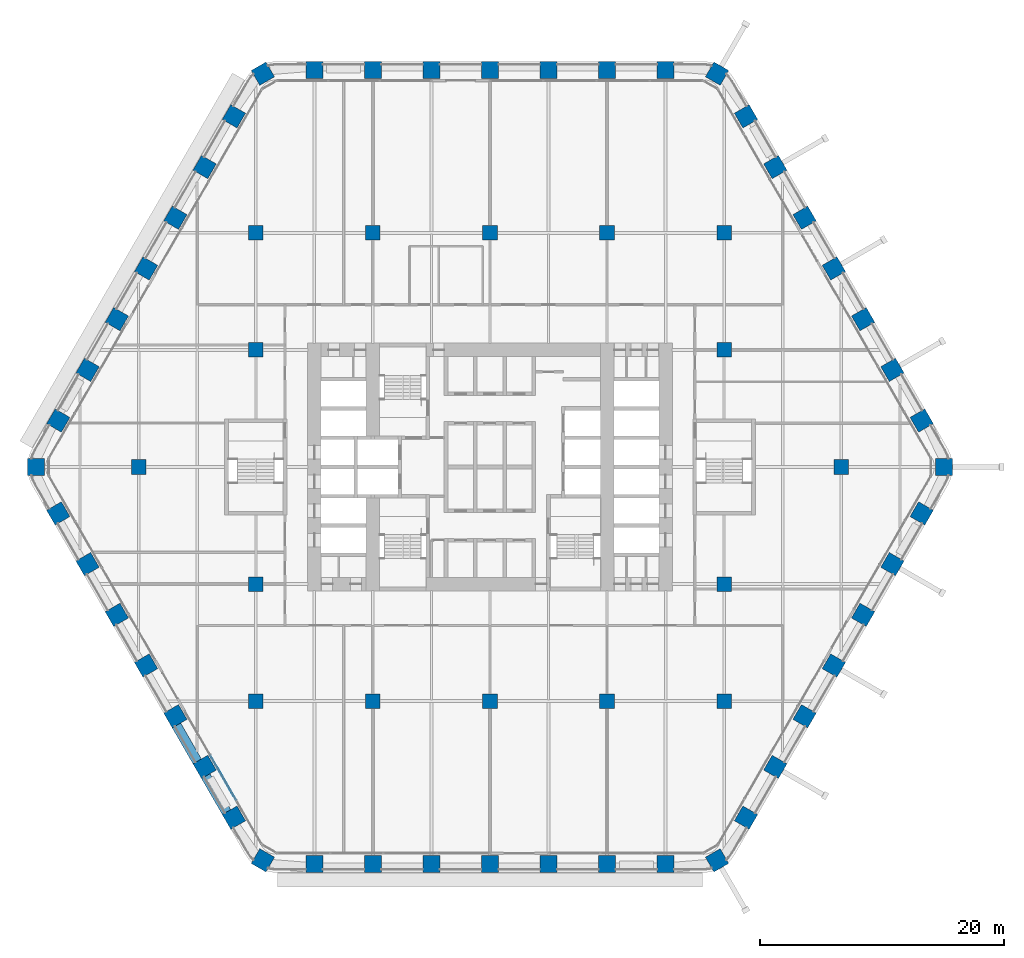
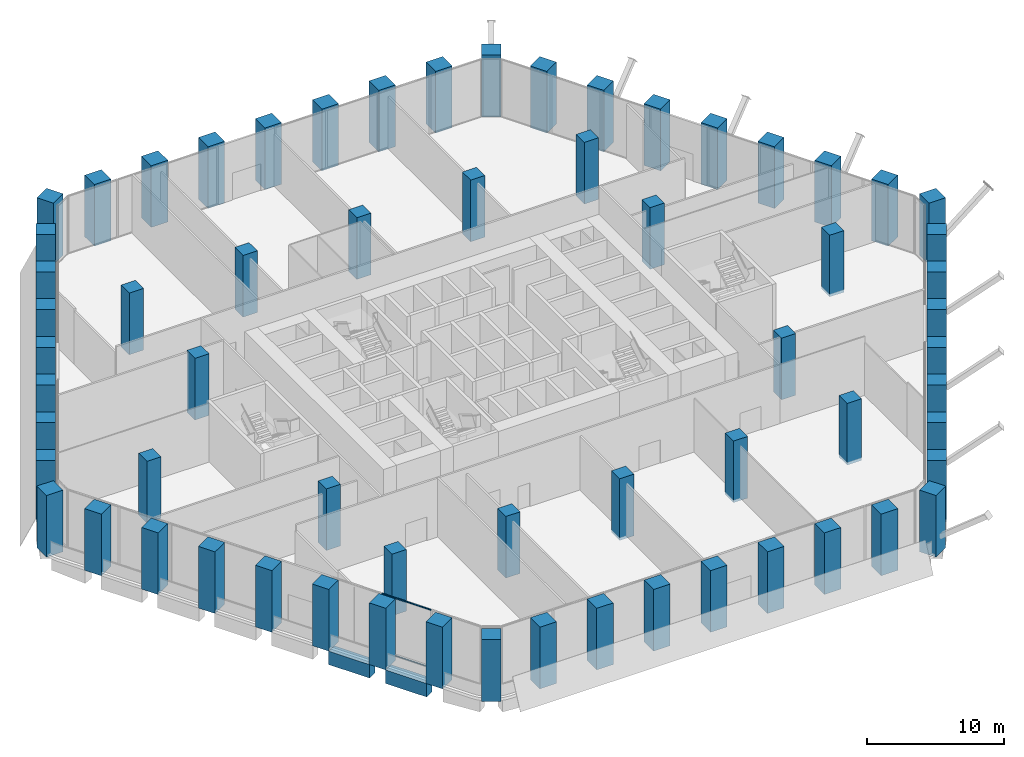
# One storey, part 1 of 29: 64 columns, 2 beams, 2 members, 1 element without a shape of its own.
"""IFC4 building model written with IfcOpenShell, lengths in metres."""

from ifc_helpers import new_model, si_unit, direction, frame, origin, origin_2d, place, context, subcontext, project, spatial, rectangle, extrude, material, material_profile, profile_set, type_object, element, aggregate, save


model = new_model("IFC4")

# Units and contexts
model_context = context("Model", 3, precision=1e-05, world=origin(), true_north=direction((0.0, 1.0)))
body_context = subcontext(model_context, "Body", "Model", "MODEL_VIEW")
ifc_project = project(units=[si_unit("LENGTHUNIT", "METRE"), si_unit("AREAUNIT", "SQUARE_METRE"), si_unit("VOLUMEUNIT", "CUBIC_METRE"), si_unit("PLANEANGLEUNIT", "RADIAN"), si_unit("MASSUNIT", "GRAM", prefix="KILO")], contexts=[model_context])

# Site, building, storey
site_placement = place(None, origin())
site = spatial("IfcSite", under=ifc_project, at=site_placement, CompositionType="ELEMENT")
building_placement = place(site_placement, origin())
building = spatial("IfcBuilding", under=site, at=building_placement, Name="Kolab Exchange Tower", CompositionType="ELEMENT")
storey_placement = place(building_placement, frame((0.0, 0.0, 55.39990234375)))
storey = spatial("IfcBuildingStorey", under=building, at=storey_placement, Name="L10", CompositionType="ELEMENT", Elevation=55.39990234375)

# Columns
ifc_material_1 = material(Name="Concrete C80/95", Category="concrete")
ifc_material_profile_1 = material_profile(ifc_material_1, rectangle(XDim=1.199951171875, YDim=1.199951171875, at=origin_2d()), Name="RC1200")
ifc_profile_set_1 = profile_set([ifc_material_profile_1], Name="Concrete C80/95")
column_type_1 = type_object("IfcColumnType", Name="INTERIOR COLUMN 1200 SQ C80/95", PredefinedType="COLUMN", material=ifc_profile_set_1)
for number, where, z_axis, x_axis, name in (
    (1, (-28.800048828125, 0.0, -0.25), (0.0, 0.0, 1.0), (1.0, 0.0, 0.0), "col/L10/I-G11"),
    (2, (-19.199951171875, -19.199951171875, -0.25), (0.0, 0.0, 1.0), (1.0, 0.0, 0.0), "col/L10/I-I7"),
    (3, (-19.199951171875, -9.60009765625, -0.25), (0.0, 0.0, 1.0), (1.0, 0.0, 0.0), "col/L10/I-I9"),
    (4, (-19.199951171875, 9.60009765625, -0.25), (0.0, 0.0, 1.0), (1.0, 0.0, 0.0), "col/L10/I-I13"),
    (5, (-19.199951171875, 19.199951171875, -0.25), (0.0, 0.0, 1.0), (1.0, 0.0, 0.0), "col/L10/I-I15"),
    (6, (-9.60009765625, -19.199951171875, -0.25), (0.0, 0.0, 1.0), (1.0, 0.0, 0.0), "col/L10/I-K7"),
    (7, (-9.60009765625, 19.199951171875, -0.25), (0.0, 0.0, 1.0), (1.0, 0.0, 0.0), "col/L10/I-K15"),
    (8, (0.0, -19.199951171875, -0.25), (0.0, 0.0, 1.0), (1.0, 0.0, 0.0), "col/L10/I-M7"),
    (9, (0.0, 19.199951171875, -0.25), (0.0, 0.0, 1.0), (1.0, 0.0, 0.0), "col/L10/I-M15"),
    (10, (9.60009765625, -19.199951171875, -0.25), (0.0, 0.0, 1.0), (1.0, 0.0, 0.0), "col/L10/I-O7"),
    (11, (9.60009765625, 19.199951171875, -0.25), (0.0, 0.0, 1.0), (1.0, 0.0, 0.0), "col/L10/I-O15"),
    (12, (19.199951171875, -19.199951171875, -0.25), (0.0, 0.0, 1.0), (1.0, 0.0, 0.0), "col/L10/I-Q7"),
    (13, (19.199951171875, -9.60009765625, -0.25), (0.0, 0.0, 1.0), (1.0, 0.0, 0.0), "col/L10/I-Q9"),
    (14, (19.199951171875, 9.60009765625, -0.25), (0.0, 0.0, 1.0), (1.0, 0.0, 0.0), "col/L10/I-Q13"),
    (15, (19.199951171875, 19.199951171875, -0.25), (0.0, 0.0, 1.0), (1.0, 0.0, 0.0), "col/L10/I-Q15"),
    (16, (28.800048828125, 0.0, -0.25), (0.0, 0.0, 1.0), (1.0, 0.0, 0.0), "col/L10/I-S11"),
):
    element("IfcColumn", number, at=place(storey_placement, frame(where, z_axis=z_axis, x_axis=x_axis)), inside=storey, type_object=column_type_1, Name=name, PredefinedType="COLUMN", context=body_context, shape_type="SweptSolid", body=[
        extrude(rectangle(XDim=1.199951171875, YDim=1.199951171875, at=origin_2d()), origin(), (0.0, 0.0, 1.0), 5.5),
    ])
ifc_material_profile_2 = material_profile(ifc_material_1, rectangle(XDim=1.39990234375, YDim=1.39990234375, at=origin_2d()), Name="RC1400")
ifc_profile_set_2 = profile_set([ifc_material_profile_2], Name="Concrete C80/95")
column_type_2 = type_object("IfcColumnType", Name="PERIMETER COLUMN 1400 SQ C80/95", PredefinedType="COLUMN", material=ifc_profile_set_2)
for number, where, z_axis, x_axis, name in (
    (17, (-18.617919921875, 32.247314453125, -0.25), (0.0, 0.0, 1.0), (0.866025403784, 0.5, 0.0), "col/L10/F1-01"),
    (18, (-14.39990234375, 32.555419921875, -0.25), (0.0, 0.0, 1.0), (1.0, 0.0, 0.0), "col/L10/F1-02"),
    (19, (-9.60009765625, 32.555419921875, -0.25), (0.0, 0.0, 1.0), (1.0, 0.0, 0.0), "col/L10/F1-03"),
    (20, (-4.800048828125, 32.555419921875, -0.25), (0.0, 0.0, 1.0), (1.0, 0.0, 0.0), "col/L10/F1-04"),
    (21, (0.0, 32.555419921875, -0.25), (0.0, 0.0, 1.0), (1.0, 0.0, 0.0), "col/L10/F1-05"),
    (22, (4.800048828125, 32.555419921875, -0.25), (0.0, 0.0, 1.0), (1.0, 0.0, 0.0), "col/L10/F1-06"),
    (23, (9.60009765625, 32.555419921875, -0.25), (0.0, 0.0, 1.0), (1.0, 0.0, 0.0), "col/L10/F1-07"),
    (24, (14.39990234375, 32.555419921875, -0.25), (0.0, 0.0, 1.0), (1.0, 0.0, 0.0), "col/L10/F1-08"),
    (25, (18.617919921875, 32.247314453125, -0.25), (0.0, 0.0, 1.0), (0.5, 0.866025403784, 0.0), "col/L10/F2-01"),
    (26, (20.993896484375, 28.74853515625, -0.25), (0.0, 0.0, 1.0), (0.866025403784, 0.5, 0.0), "col/L10/F2-02"),
    (27, (23.393798828125, 24.591552734375, -0.25), (0.0, 0.0, 1.0), (0.866025403784, 0.5, 0.0), "col/L10/F2-03"),
    (28, (25.793701171875, 20.4345703125, -0.25), (0.0, 0.0, 1.0), (0.866025403784, 0.5, 0.0), "col/L10/F2-04"),
    (29, (28.19384765625, 16.277587890625, -0.25), (0.0, 0.0, 1.0), (0.866025403784, 0.5, 0.0), "col/L10/F2-05"),
    (30, (30.59375, 12.120849609375, -0.25), (0.0, 0.0, 1.0), (0.866025403784, 0.5, 0.0), "col/L10/F2-06"),
    (31, (32.993896484375, 7.9638671875, -0.25), (0.0, 0.0, 1.0), (0.866025403784, 0.5, 0.0), "col/L10/F2-07"),
    (32, (35.393798828125, 3.806884765625, -0.25), (0.0, 0.0, 1.0), (0.866025403784, 0.5, 0.0), "col/L10/F2-08"),
    (33, (37.23583984375, 0.0, -0.25), (0.0, 0.0, 1.0), (1.0, 0.0, 0.0), "col/L10/F3-01"),
    (34, (35.393798828125, -3.806884765625, -0.25), (0.0, 0.0, 1.0), (0.5, 0.866025403784, 0.0), "col/L10/F3-02"),
    (35, (32.993896484375, -7.9638671875, -0.25), (0.0, 0.0, 1.0), (0.5, 0.866025403784, 0.0), "col/L10/F3-03"),
    (36, (30.59375, -12.120849609375, -0.25), (0.0, 0.0, 1.0), (0.5, 0.866025403784, 0.0), "col/L10/F3-04"),
    (37, (28.19384765625, -16.277587890625, -0.25), (0.0, 0.0, 1.0), (0.5, 0.866025403784, 0.0), "col/L10/F3-05"),
    (38, (25.793701171875, -20.4345703125, -0.25), (0.0, 0.0, 1.0), (0.5, 0.866025403784, 0.0), "col/L10/F3-06"),
    (39, (23.393798828125, -24.591552734375, -0.25), (0.0, 0.0, 1.0), (0.5, 0.866025403784, 0.0), "col/L10/F3-07"),
    (40, (20.993896484375, -28.74853515625, -0.25), (0.0, 0.0, 1.0), (0.5, 0.866025403784, 0.0), "col/L10/F3-08"),
    (41, (18.617919921875, -32.247314453125, -0.25), (0.0, 0.0, 1.0), (0.866025403784, 0.5, 0.0), "col/L10/F4-01"),
    (42, (14.39990234375, -32.555419921875, -0.25), (0.0, 0.0, 1.0), (1.0, 0.0, 0.0), "col/L10/F4-02"),
    (43, (9.60009765625, -32.555419921875, -0.25), (0.0, 0.0, 1.0), (1.0, 0.0, 0.0), "col/L10/F4-03"),
    (44, (4.800048828125, -32.555419921875, -0.25), (0.0, 0.0, 1.0), (1.0, 0.0, 0.0), "col/L10/F4-04"),
    (45, (0.0, -32.555419921875, -0.25), (0.0, 0.0, 1.0), (1.0, 0.0, 0.0), "col/L10/F4-05"),
    (46, (-4.800048828125, -32.555419921875, -0.25), (0.0, 0.0, 1.0), (1.0, 0.0, 0.0), "col/L10/F4-06"),
    (47, (-9.60009765625, -32.555419921875, -0.25), (0.0, 0.0, 1.0), (1.0, 0.0, 0.0), "col/L10/F4-07"),
    (48, (-14.39990234375, -32.555419921875, -0.25), (0.0, 0.0, 1.0), (1.0, 0.0, 0.0), "col/L10/F4-08"),
    (49, (-18.617919921875, -32.247314453125, -0.25), (0.0, 0.0, 1.0), (0.5, 0.866025403784, 0.0), "col/L10/F5-01"),
    (50, (-20.993896484375, -28.74853515625, -0.25), (0.0, 0.0, 1.0), (0.866025403784, 0.5, 0.0), "col/L10/F5-02"),
    (51, (-23.393798828125, -24.591552734375, -0.25), (0.0, 0.0, 1.0), (0.866025403784, 0.5, 0.0), "col/L10/F5-03"),
    (52, (-25.793701171875, -20.4345703125, -0.25), (0.0, 0.0, 1.0), (0.866025403784, 0.5, 0.0), "col/L10/F5-04"),
    (53, (-28.19384765625, -16.277587890625, -0.25), (0.0, 0.0, 1.0), (0.866025403784, 0.5, 0.0), "col/L10/F5-05"),
    (54, (-30.59375, -12.120849609375, -0.25), (0.0, 0.0, 1.0), (0.866025403784, 0.5, 0.0), "col/L10/F5-06"),
    (55, (-32.993896484375, -7.9638671875, -0.25), (0.0, 0.0, 1.0), (0.866025403784, 0.5, 0.0), "col/L10/F5-07"),
    (56, (-35.393798828125, -3.806884765625, -0.25), (0.0, 0.0, 1.0), (0.866025403784, 0.5, 0.0), "col/L10/F5-08"),
    (57, (-37.23583984375, 0.0, -0.25), (0.0, 0.0, 1.0), (1.0, 0.0, 0.0), "col/L10/F6-01"),
    (58, (-35.393798828125, 3.806884765625, -0.25), (0.0, 0.0, 1.0), (0.5, 0.866025403784, 0.0), "col/L10/F6-02"),
    (59, (-32.993896484375, 7.9638671875, -0.25), (0.0, 0.0, 1.0), (0.5, 0.866025403784, 0.0), "col/L10/F6-03"),
    (60, (-30.59375, 12.120849609375, -0.25), (0.0, 0.0, 1.0), (0.5, 0.866025403784, 0.0), "col/L10/F6-04"),
    (61, (-28.19384765625, 16.277587890625, -0.25), (0.0, 0.0, 1.0), (0.5, 0.866025403784, 0.0), "col/L10/F6-05"),
    (62, (-25.793701171875, 20.4345703125, -0.25), (0.0, 0.0, 1.0), (0.5, 0.866025403784, 0.0), "col/L10/F6-06"),
    (63, (-23.393798828125, 24.591552734375, -0.25), (0.0, 0.0, 1.0), (0.5, 0.866025403784, 0.0), "col/L10/F6-07"),
    (64, (-20.993896484375, 28.74853515625, -0.25), (0.0, 0.0, 1.0), (0.5, 0.866025403784, 0.0), "col/L10/F6-08"),
):
    element("IfcColumn", number, at=place(storey_placement, frame(where, z_axis=z_axis, x_axis=x_axis)), inside=storey, type_object=column_type_2, Name=name, PredefinedType="COLUMN", context=body_context, shape_type="SweptSolid", body=[
        extrude(rectangle(XDim=1.39990234375, YDim=1.39990234375, at=origin_2d()), origin(), (0.0, 0.0, 1.0), 5.5),
    ])

# Beams
ifc_material_profile_3 = material_profile(ifc_material_1, rectangle(XDim=0.800048828125, YDim=1.199951171875, at=origin_2d()), Name="RC800X1200")
ifc_profile_set_3 = profile_set([ifc_material_profile_3], Name="Concrete C80/95")
beam_type = type_object("IfcBeamType", Name="SPANDREL BEAM 800X1200 C80/95", PredefinedType="BEAM", material=ifc_profile_set_3)
beam_1_placement = place(storey_placement, frame((-21.58349609375, -28.326904296875, -0.849853515625), z_axis=(-0.499979528911, 0.866037222451, 0.0), x_axis=(-0.866037222451, -0.499979528911, 0.0)))
element("IfcBeam", 65, at=beam_1_placement, inside=storey, type_object=beam_type, Name="beam/L10/sp/F5-02", PredefinedType="BEAM", context=body_context, shape_type="SweptSolid", body=[
    extrude(rectangle(XDim=0.800048828125, YDim=1.199951171875, at=origin_2d()), origin(), (0.0, 0.0, 1.0), 3.480224609375),
])
beam_2_placement = place(storey_placement, frame((-23.983642578125, -24.169921875, -0.849853515625), z_axis=(-0.500009906705, 0.86601968407, 0.0), x_axis=(-0.86601968407, -0.500009906705, 0.0)))
element("IfcBeam", 66, at=beam_2_placement, inside=storey, type_object=beam_type, Name="beam/L10/sp/F5-03", PredefinedType="BEAM", context=body_context, shape_type="SweptSolid", body=[
    extrude(rectangle(XDim=0.800048828125, YDim=1.199951171875, at=origin_2d()), origin(), (0.0, 0.0, 1.0), 3.47998046875),
])

# Curtain wall, members
ifc_material_2 = material(Name="Aluminium EN AW-6063 T6", Category="aluminium")
curtain_wall_type = type_object("IfcCurtainWallType", Name="UNITISED LOW ZONE CURTAIN WALL", PredefinedType="NOTDEFINED", material=ifc_material_2)
curtain_wall_placement = place(storey_placement, origin())
curtain_wall = element("IfcCurtainWall", 67, at=curtain_wall_placement, inside=storey, type_object=curtain_wall_type, Name="cw/L10/F5-1", PredefinedType="NOTDEFINED")
ifc_material_profile_4 = material_profile(ifc_material_2, rectangle(XDim=0.06005859375, YDim=0.10009765625, at=origin_2d()), Name="RECT 60X100")
ifc_profile_set_4 = profile_set([ifc_material_profile_4], Name="Aluminium EN AW-6063 T6")
member_type = type_object("IfcMemberType", Name="UNITISED LOW ZONE TRANSOM 60 X 100", PredefinedType="USERDEFINED", material=ifc_profile_set_4)
member_1_placement = place(storey_placement, frame((-20.823974609375, -27.282470703125, 0.030029296875), z_axis=(-0.49999322259, 0.866029316688, 0.0), x_axis=(-0.866029316688, -0.49999322259, 0.0)))
member_1 = element("IfcMember", 68, at=member_1_placement, type_object=member_type, Name="CW1 transom 2.1", ObjectType="TRANSOM", PredefinedType="USERDEFINED", context=body_context, shape_type="SweptSolid", body=[
    extrude(rectangle(XDim=0.06005859375, YDim=0.10009765625, at=origin_2d()), origin(), (0.0, 0.0, 1.0), 4.16259765625),
])
member_2_placement = place(storey_placement, frame((-20.823974609375, -27.282470703125, 5.170166015625), z_axis=(-0.49999322259, 0.866029316688, 0.0), x_axis=(-0.866029316688, -0.49999322259, 0.0)))
member_2 = element("IfcMember", 69, at=member_2_placement, type_object=member_type, Name="CW1 transom 2.2", ObjectType="TRANSOM", PredefinedType="USERDEFINED", context=body_context, shape_type="SweptSolid", body=[
    extrude(rectangle(XDim=0.06005859375, YDim=0.10009765625, at=origin_2d()), origin(), (0.0, 0.0, 1.0), 4.16259765625),
])
aggregate(curtain_wall, [member_1, member_2])

save(model, "model.ifc")
